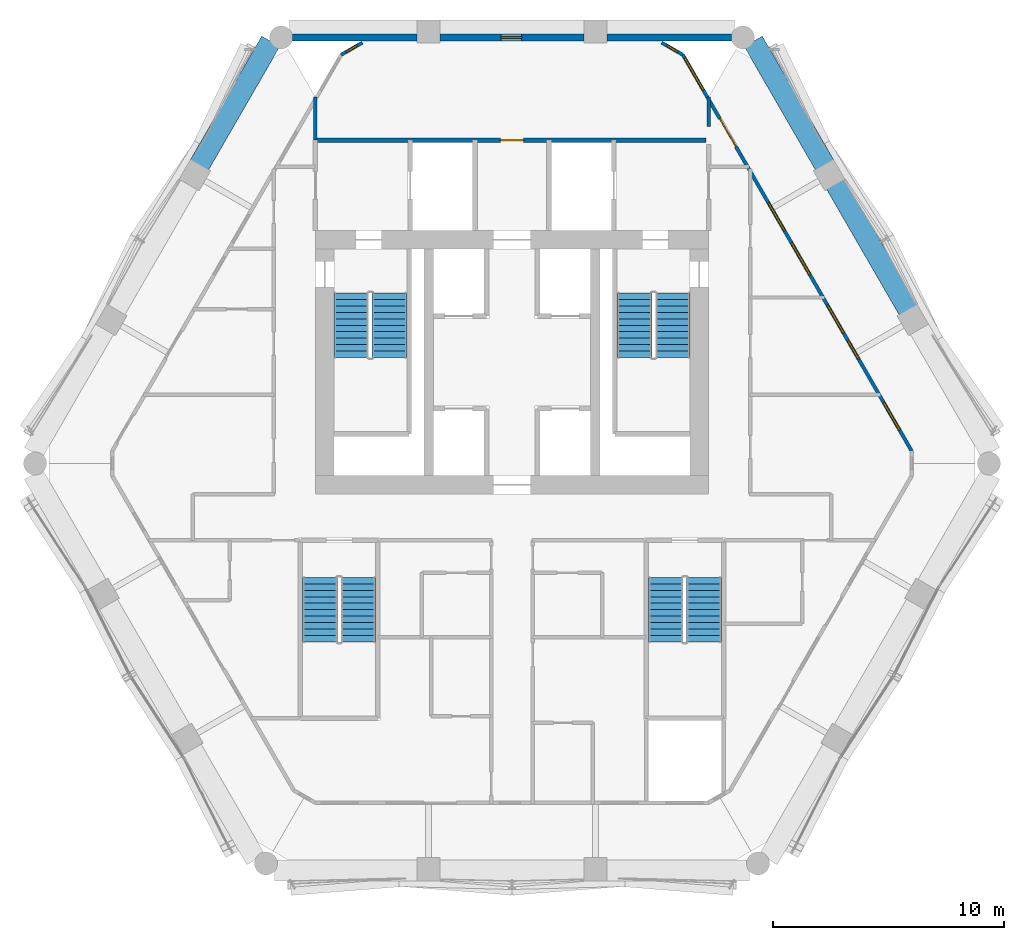
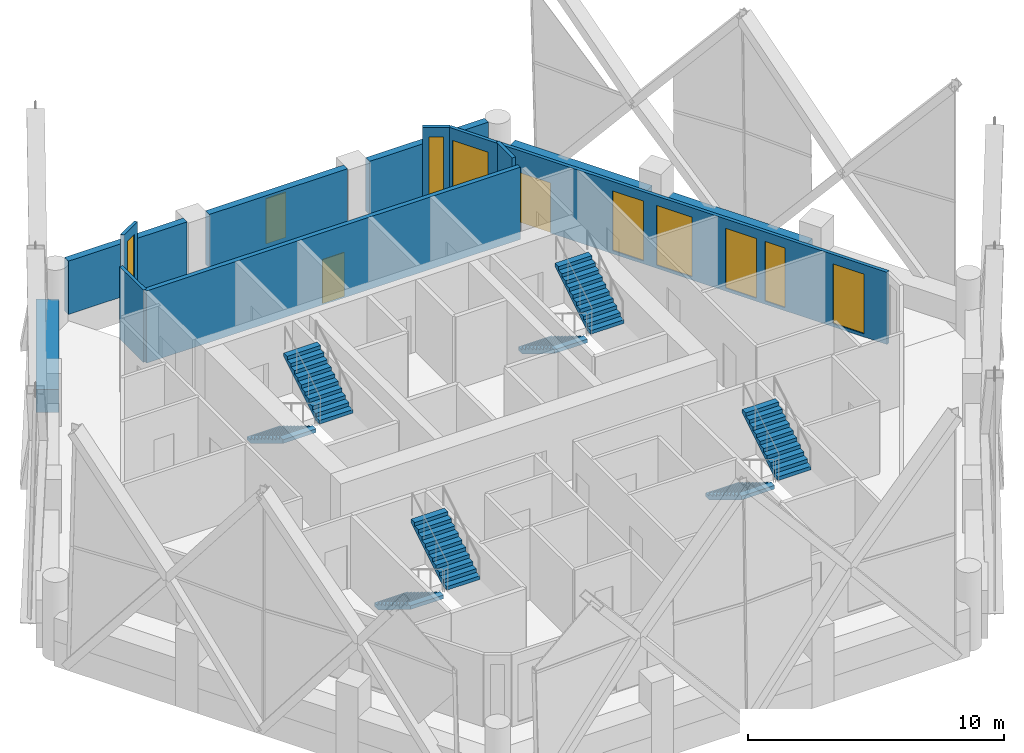
# One storey, part 13 of 18: 12 walls, 9 windows, 8 stair flights, 2 doors, 11 openings, 4 elements without a shape of their own.
"""IFC4 building model written with IfcOpenShell, lengths in metres."""

from ifc_helpers import new_model, si_unit, direction, frame, frame_2d, origin, place, context, subcontext, project, spatial, polyline, rectangle, outline, extrude, material, layer, layer_set, type_object, element, fill, aggregate, save


model = new_model("IFC4")

# Units and contexts
model_context = context("Model", 3, precision=1e-05, world=origin(), true_north=direction((0.0, 1.0)))
body_context = subcontext(model_context, "Body", "Model", "MODEL_VIEW")
ifc_project = project(units=[si_unit("LENGTHUNIT", "METRE"), si_unit("AREAUNIT", "SQUARE_METRE"), si_unit("VOLUMEUNIT", "CUBIC_METRE"), si_unit("PLANEANGLEUNIT", "RADIAN"), si_unit("MASSUNIT", "GRAM", prefix="KILO")], contexts=[model_context])

# Site, building, storey
site_placement = place(None, origin())
site = spatial("IfcSite", under=ifc_project, at=site_placement, CompositionType="ELEMENT")
building_placement = place(site_placement, origin())
building = spatial("IfcBuilding", under=site, at=building_placement, Name="Ostrander Bayou Hotel Tower", CompositionType="ELEMENT")
storey_placement = place(building_placement, frame((0.0, 0.0, 175.75)))
storey = spatial("IfcBuildingStorey", under=building, at=storey_placement, Name="L43", CompositionType="ELEMENT", Elevation=175.75)

# Wall, openings, door, windows
ifc_material_1 = material(Name="Aluminium framed insulated wall", Category="aluminium")
ifc_layer_1 = layer(ifc_material_1, 0.14990234375)
ifc_layer_set_1 = layer_set([ifc_layer_1], Name="GW1 glass-line wall 150 mm")
wall_type_1 = type_object("IfcWallType", Name="GW1 glass-line wall 150 mm", PredefinedType="SOLIDWALL", material=ifc_layer_set_1)
wall_1_placement = place(storey_placement, frame((17.28662109375, 0.156005859375, 0.0), z_axis=(0.0, 0.0, 1.0), x_axis=(-0.500001917853, 0.866024296509, 0.0)))
wall_1 = element("IfcWall", 1, at=wall_1_placement, inside=storey, type_object=wall_type_1, Name="GW1 L43 NE 1", PredefinedType="SOLIDWALL", context=body_context, shape_type="SweptSolid", body=[
    extrude(rectangle(XDim=19.78759765625, YDim=0.14990234375, at=frame_2d((9.893798828125, 0.0))), origin(), (0.0, 0.0, 1.0), 3.449951171875),
])
opening_1_placement = place(wall_1_placement, frame((1.046142578125, 0.0, 0.14990234375)))
opening_1 = element("IfcOpeningElement", 2, at=opening_1_placement, cuts=wall_1, Name="Opening W13", PredefinedType="OPENING", context=body_context, shape_type="SweptSolid", body=[
    extrude(rectangle(XDim=1.39990234375, YDim=2.85009765625, at=frame_2d((0.699951171875, 1.425048828125))), frame((0.0, 0.074951171875, 0.0), z_axis=(0.0, -1.0, 0.0), x_axis=(1.0, 0.0, 0.0)), (0.0, 0.0, 1.0), 0.14990234375),
])
opening_2_placement = place(wall_1_placement, frame((4.608154296875, 0.0, 0.14990234375)))
opening_2 = element("IfcOpeningElement", 3, at=opening_2_placement, cuts=wall_1, Name="Opening W17", PredefinedType="OPENING", context=body_context, shape_type="SweptSolid", body=[
    extrude(rectangle(XDim=0.89990234375, YDim=2.85009765625, at=frame_2d((0.449951171875, 1.425048828125))), frame((0.0, 0.074951171875, 0.0), z_axis=(0.0, -1.0, 0.0), x_axis=(1.0, 0.0, 0.0)), (0.0, 0.0, 1.0), 0.14990234375),
])
opening_3_placement = place(wall_1_placement, frame((5.8955078125, 0.0, 0.14990234375)))
opening_3 = element("IfcOpeningElement", 4, at=opening_3_placement, cuts=wall_1, Name="Opening W13", PredefinedType="OPENING", context=body_context, shape_type="SweptSolid", body=[
    extrude(rectangle(XDim=1.39990234375, YDim=2.85009765625, at=frame_2d((0.699951171875, 1.425048828125))), frame((0.0, 0.074951171875, 0.0), z_axis=(0.0, -1.0, 0.0), x_axis=(1.0, 0.0, 0.0)), (0.0, 0.0, 1.0), 0.14990234375),
])
opening_4_placement = place(wall_1_placement, frame((8.80810546875, 0.0, 0.14990234375)))
opening_4 = element("IfcOpeningElement", 5, at=opening_4_placement, cuts=wall_1, Name="Opening W3", PredefinedType="OPENING", context=body_context, shape_type="SweptSolid", body=[
    extrude(rectangle(XDim=1.60009765625, YDim=2.85009765625, at=frame_2d((0.800048828125, 1.425048828125))), frame((0.0, 0.074951171875, 0.0), z_axis=(0.0, -1.0, 0.0), x_axis=(1.0, 0.0, 0.0)), (0.0, 0.0, 1.0), 0.14990234375),
])
opening_5_placement = place(wall_1_placement, frame((11.008056640625, 0.0, 0.14990234375)))
opening_5 = element("IfcOpeningElement", 6, at=opening_5_placement, cuts=wall_1, Name="Opening W13", PredefinedType="OPENING", context=body_context, shape_type="SweptSolid", body=[
    extrude(rectangle(XDim=1.39990234375, YDim=2.85009765625, at=frame_2d((0.699951171875, 1.425048828125))), frame((0.0, 0.074951171875, 0.0), z_axis=(0.0, -1.0, 0.0), x_axis=(1.0, 0.0, 0.0)), (0.0, 0.0, 1.0), 0.14990234375),
])
opening_6_placement = place(wall_1_placement, frame((15.2080078125, 0.0, 0.0)))
opening_6 = element("IfcOpeningElement", 7, at=opening_6_placement, cuts=wall_1, Name="Opening T41-806", PredefinedType="OPENING", context=body_context, shape_type="SweptSolid", body=[
    extrude(rectangle(XDim=1.39990234375, YDim=2.39990234375, at=frame_2d((0.699951171875, 1.199951171875))), frame((0.0, 0.074951171875, 0.0), z_axis=(0.0, -1.0, 0.0), x_axis=(1.0, 0.0, 0.0)), (0.0, 0.0, 1.0), 0.14990234375),
])
opening_7_placement = place(wall_1_placement, frame((18.019287109375, 0.0, 0.14990234375)))
opening_7 = element("IfcOpeningElement", 8, at=opening_7_placement, cuts=wall_1, Name="Opening W3", PredefinedType="OPENING", context=body_context, shape_type="SweptSolid", body=[
    extrude(rectangle(XDim=1.60009765625, YDim=2.72998046875, at=frame_2d((0.800048828125, 1.364990234375))), frame((0.0, 0.074951171875, 0.0), z_axis=(0.0, -1.0, 0.0), x_axis=(1.0, 0.0, 0.0)), (0.0, 0.0, 1.0), 0.14990234375),
])
ifc_material_2 = material(Name="Aluminium and clear glass", Category="aluminium")
door_type_1 = type_object("IfcDoorType", Name="SD3 sliding glass door 1400 mm, zone 3", OperationType="SLIDING_TO_LEFT", PredefinedType="DOOR", material=ifc_material_2)
door_1_placement = place(opening_6_placement, origin())
door_1 = element("IfcDoor", 9, at=door_1_placement, inside=storey, type_object=door_type_1, Name="SD3 L43 NE 4", OperationType="SLIDING_TO_RIGHT", OverallHeight=2.39990234375, OverallWidth=1.39990234375, PredefinedType="DOOR", context=body_context, shape_type="SweptSolid", body=[
    extrude(rectangle(XDim=1.39990234375, YDim=2.39990234375, at=frame_2d((0.699951171875, 1.199951171875))), frame((0.0, 0.02490234375, 0.0), z_axis=(0.0, -1.0, 0.0), x_axis=(1.0, 0.0, 0.0)), (0.0, 0.0, 1.0), 0.050048828125),
])
fill(opening_6, door_1)
ifc_material_3 = material(Name="Aluminium and clear glass", Category="aluminium")
window_type_1 = type_object("IfcWindowType", Name="W13 fixed window 1400 mm, bath bay, zone 3", PartitioningType="SINGLE_PANEL", PredefinedType="WINDOW", material=ifc_material_3)
window_1_placement = place(opening_1_placement, origin())
window_1 = element("IfcWindow", 10, at=window_1_placement, inside=storey, type_object=window_type_1, Name="W13 L43 NE 1", OverallHeight=2.85009765625, OverallWidth=1.39990234375, PartitioningType="SINGLE_PANEL", PredefinedType="WINDOW", context=body_context, shape_type="SweptSolid", body=[
    extrude(rectangle(XDim=1.39990234375, YDim=2.85009765625, at=frame_2d((0.699951171875, 1.425048828125))), frame((0.0, 0.030029296875, 0.0), z_axis=(0.0, -1.0, 0.0), x_axis=(1.0, 0.0, 0.0)), (0.0, 0.0, 1.0), 0.06005859375),
])
fill(opening_1, window_1)
window_2_placement = place(opening_3_placement, origin())
window_2 = element("IfcWindow", 11, at=window_2_placement, inside=storey, type_object=window_type_1, Name="W13 L43 NE 2", OverallHeight=2.85009765625, OverallWidth=1.39990234375, PartitioningType="SINGLE_PANEL", PredefinedType="WINDOW", context=body_context, shape_type="SweptSolid", body=[
    extrude(rectangle(XDim=1.39990234375, YDim=2.85009765625, at=frame_2d((0.699951171875, 1.425048828125))), frame((0.0, 0.030029296875, 0.0), z_axis=(0.0, -1.0, 0.0), x_axis=(1.0, 0.0, 0.0)), (0.0, 0.0, 1.0), 0.06005859375),
])
fill(opening_3, window_2)
window_3_placement = place(opening_5_placement, origin())
window_3 = element("IfcWindow", 12, at=window_3_placement, inside=storey, type_object=window_type_1, Name="W13 L43 NE 3", OverallHeight=2.85009765625, OverallWidth=1.39990234375, PartitioningType="SINGLE_PANEL", PredefinedType="WINDOW", context=body_context, shape_type="SweptSolid", body=[
    extrude(rectangle(XDim=1.39990234375, YDim=2.85009765625, at=frame_2d((0.699951171875, 1.425048828125))), frame((0.0, 0.030029296875, 0.0), z_axis=(0.0, -1.0, 0.0), x_axis=(1.0, 0.0, 0.0)), (0.0, 0.0, 1.0), 0.06005859375),
])
fill(opening_5, window_3)
ifc_material_4 = material(Name="Aluminium and clear glass", Category="aluminium")
window_type_2 = type_object("IfcWindowType", Name="W17 window 900 mm, zone 3", PartitioningType="SINGLE_PANEL", PredefinedType="WINDOW", material=ifc_material_4)
window_4_placement = place(opening_2_placement, origin())
window_4 = element("IfcWindow", 13, at=window_4_placement, inside=storey, type_object=window_type_2, Name="W17 L43 NE 2", OverallHeight=2.85009765625, OverallWidth=0.89990234375, PartitioningType="SINGLE_PANEL", PredefinedType="WINDOW", context=body_context, shape_type="SweptSolid", body=[
    extrude(rectangle(XDim=0.89990234375, YDim=2.85009765625, at=frame_2d((0.449951171875, 1.425048828125))), frame((0.0, 0.030029296875, 0.0), z_axis=(0.0, -1.0, 0.0), x_axis=(1.0, 0.0, 0.0)), (0.0, 0.0, 1.0), 0.06005859375),
])
fill(opening_2, window_4)
ifc_material_5 = material(Name="Aluminium and clear glass", Category="aluminium")
window_type_3 = type_object("IfcWindowType", Name="W3 fixed window 1600 mm, zone 3", PartitioningType="SINGLE_PANEL", PredefinedType="WINDOW", material=ifc_material_5)
window_5_placement = place(opening_4_placement, origin())
window_5 = element("IfcWindow", 14, at=window_5_placement, inside=storey, type_object=window_type_3, Name="W3 L43 NE 3", OverallHeight=2.85009765625, OverallWidth=1.60009765625, PartitioningType="SINGLE_PANEL", PredefinedType="WINDOW", context=body_context, shape_type="SweptSolid", body=[
    extrude(rectangle(XDim=1.60009765625, YDim=2.85009765625, at=frame_2d((0.800048828125, 1.425048828125))), frame((0.0, 0.030029296875, 0.0), z_axis=(0.0, -1.0, 0.0), x_axis=(1.0, 0.0, 0.0)), (0.0, 0.0, 1.0), 0.06005859375),
])
fill(opening_4, window_5)
window_6_placement = place(opening_7_placement, origin())
window_6 = element("IfcWindow", 15, at=window_6_placement, inside=storey, type_object=window_type_3, Name="W3 L43 NE E22", OverallHeight=2.72998046875, OverallWidth=1.60009765625, PartitioningType="SINGLE_PANEL", PredefinedType="WINDOW", context=body_context, shape_type="SweptSolid", body=[
    extrude(rectangle(XDim=1.60009765625, YDim=2.72998046875, at=frame_2d((0.800048828125, 1.364990234375))), frame((0.0, 0.030029296875, 0.0), z_axis=(0.0, -1.0, 0.0), x_axis=(1.0, 0.0, 0.0)), (0.0, 0.0, 1.0), 0.06005859375),
])
fill(opening_7, window_6)

# Wall, opening, window
wall_2_placement = place(storey_placement, frame((-6.470458984375, 17.824951171875, 0.0), z_axis=(0.0, 0.0, 1.0), x_axis=(-0.866048165231, -0.499960573946, 0.0)))
wall_2 = element("IfcWall", 16, at=wall_2_placement, inside=storey, type_object=wall_type_1, Name="GW1 L43 corner 1", PredefinedType="SOLIDWALL", context=body_context, shape_type="SweptSolid", body=[
    extrude(rectangle(XDim=1.06494140625, YDim=0.14990234375, at=frame_2d((0.532470703125, 0.0))), origin(), (0.0, 0.0, 1.0), 3.449951171875),
])
opening_8_placement = place(wall_2_placement, frame((0.257568359375, 0.0, 0.14990234375)))
opening_8 = element("IfcOpeningElement", 17, at=opening_8_placement, cuts=wall_2, Name="Opening W19", PredefinedType="OPENING", context=body_context, shape_type="SweptSolid", body=[
    extrude(rectangle(XDim=0.550048828125, YDim=2.85009765625, at=frame_2d((0.27490234375, 1.425048828125))), frame((0.0, 0.074951171875, 0.0), z_axis=(0.0, -1.0, 0.0), x_axis=(1.0, 0.0, 0.0)), (0.0, 0.0, 1.0), 0.14990234375),
])
ifc_material_6 = material(Name="Aluminium and clear glass", Category="aluminium")
window_type_4 = type_object("IfcWindowType", Name="W19 corner window 550 mm", PartitioningType="SINGLE_PANEL", PredefinedType="WINDOW", material=ifc_material_6)
window_7_placement = place(opening_8_placement, origin())
window_7 = element("IfcWindow", 18, at=window_7_placement, inside=storey, type_object=window_type_4, Name="W19 L43 corner 1", OverallHeight=2.85009765625, OverallWidth=0.550048828125, PartitioningType="SINGLE_PANEL", PredefinedType="WINDOW", context=body_context, shape_type="SweptSolid", body=[
    extrude(rectangle(XDim=0.550048828125, YDim=2.85009765625, at=frame_2d((0.27490234375, 1.425048828125))), frame((0.0, 0.030029296875, 0.0), z_axis=(0.0, -1.0, 0.0), x_axis=(1.0, 0.0, 0.0)), (0.0, 0.0, 1.0), 0.06005859375),
])
fill(opening_8, window_7)

wall_3_placement = place(storey_placement, frame((7.392822265625, 17.29248046875, 0.0), z_axis=(0.0, 0.0, 1.0), x_axis=(-0.866048165231, 0.499960573946, 0.0)))
wall_3 = element("IfcWall", 19, at=wall_3_placement, inside=storey, type_object=wall_type_1, Name="GW1 L43 corner 6", PredefinedType="SOLIDWALL", context=body_context, shape_type="SweptSolid", body=[
    extrude(rectangle(XDim=1.06494140625, YDim=0.14990234375, at=frame_2d((0.532470703125, 0.0))), origin(), (0.0, 0.0, 1.0), 3.449951171875),
])
opening_9_placement = place(wall_3_placement, frame((0.257568359375, 0.0, 0.14990234375)))
opening_9 = element("IfcOpeningElement", 20, at=opening_9_placement, cuts=wall_3, Name="Opening W19", PredefinedType="OPENING", context=body_context, shape_type="SweptSolid", body=[
    extrude(rectangle(XDim=0.550048828125, YDim=2.85009765625, at=frame_2d((0.27490234375, 1.425048828125))), frame((0.0, 0.074951171875, 0.0), z_axis=(0.0, -1.0, 0.0), x_axis=(1.0, 0.0, 0.0)), (0.0, 0.0, 1.0), 0.14990234375),
])
window_8_placement = place(opening_9_placement, origin())
window_8 = element("IfcWindow", 21, at=window_8_placement, inside=storey, type_object=window_type_4, Name="W19 L43 corner 6", OverallHeight=2.85009765625, OverallWidth=0.550048828125, PartitioningType="SINGLE_PANEL", PredefinedType="WINDOW", context=body_context, shape_type="SweptSolid", body=[
    extrude(rectangle(XDim=0.550048828125, YDim=2.85009765625, at=frame_2d((0.27490234375, 1.425048828125))), frame((0.0, 0.030029296875, 0.0), z_axis=(0.0, -1.0, 0.0), x_axis=(1.0, 0.0, 0.0)), (0.0, 0.0, 1.0), 0.06005859375),
])
fill(opening_9, window_8)

# Wall
ifc_material_7 = material(Name="Reconstituted stone on masonry backing", Category="masonry")
ifc_layer_2 = layer(ifc_material_7, 0.300048828125)
ifc_layer_set_2 = layer_set([ifc_layer_2], Name="NW1 north stone wall 300 mm")
wall_type_2 = type_object("IfcWallType", Name="NW1 north stone wall 300 mm", PredefinedType="SOLIDWALL", material=ifc_layer_set_2)
wall_4_placement = place(storey_placement, frame((9.484375, 18.050048828125, 0.0), z_axis=(0.0, 0.0, 1.0), x_axis=(-1.0, 0.0, 0.0)))
element("IfcWall", 22, at=wall_4_placement, inside=storey, type_object=wall_type_2, Name="NW1 L43 N-1", PredefinedType="SOLIDWALL", context=body_context, shape_type="SweptSolid", body=[
    extrude(rectangle(XDim=5.3662109375, YDim=0.300048828125, at=frame_2d((2.68310546875, 0.0))), origin(), (0.0, 0.0, 1.0), 2.550048828125),
])

# Wall, opening, window
wall_5_placement = place(storey_placement, frame((3.1181640625, 18.050048828125, 0.0), z_axis=(0.0, 0.0, 1.0), x_axis=(-1.0, 0.0, 0.0)))
wall_5 = element("IfcWall", 23, at=wall_5_placement, inside=storey, type_object=wall_type_2, Name="NW1 L43 N-2", PredefinedType="SOLIDWALL", context=body_context, shape_type="SweptSolid", body=[
    extrude(rectangle(XDim=6.236328125, YDim=0.300048828125, at=frame_2d((3.1181640625, 0.0))), origin(), (0.0, 0.0, 1.0), 2.550048828125),
])
opening_10_placement = place(wall_5_placement, frame((2.699951171875, 0.0, 0.14990234375)))
opening_10 = element("IfcOpeningElement", 24, at=opening_10_placement, cuts=wall_5, Name="Opening W17", PredefinedType="OPENING", context=body_context, shape_type="SweptSolid", body=[
    extrude(rectangle(XDim=0.89990234375, YDim=2.14990234375, at=frame_2d((0.449951171875, 1.074951171875))), frame((0.0, 0.14990234375, 0.0), z_axis=(0.0, -1.0, 0.0), x_axis=(1.0, 0.0, 0.0)), (0.0, 0.0, 1.0), 0.300048828125),
])
window_9_placement = place(opening_10_placement, origin())
window_9 = element("IfcWindow", 25, at=window_9_placement, inside=storey, type_object=window_type_2, Name="W17 L43 north N-2", OverallHeight=2.14990234375, OverallWidth=0.89990234375, PartitioningType="SINGLE_PANEL", PredefinedType="WINDOW", context=body_context, shape_type="SweptSolid", body=[
    extrude(rectangle(XDim=0.89990234375, YDim=2.14990234375, at=frame_2d((0.449951171875, 1.074951171875))), frame((0.0, 0.030029296875, 0.0), z_axis=(0.0, -1.0, 0.0), x_axis=(1.0, 0.0, 0.0)), (0.0, 0.0, 1.0), 0.06005859375),
])
fill(opening_10, window_9)

# Walls
wall_6_placement = place(storey_placement, frame((-4.1181640625, 18.050048828125, 0.0), z_axis=(0.0, 0.0, 1.0), x_axis=(-1.0, 0.0, 0.0)))
element("IfcWall", 26, at=wall_6_placement, inside=storey, type_object=wall_type_2, Name="NW1 L43 N-3", PredefinedType="SOLIDWALL", context=body_context, shape_type="SweptSolid", body=[
    extrude(rectangle(XDim=5.3662109375, YDim=0.300048828125, at=frame_2d((2.68310546875, 0.0))), origin(), (0.0, 0.0, 1.0), 2.550048828125),
])
ifc_material_8 = material(Name="Concrete f'c 40 MPa", Category="concrete")
ifc_layer_3 = layer(ifc_material_8, 0.89990234375)
ifc_layer_set_3 = layer_set([ifc_layer_3], Name="PA1 stone-faced parapet 900 mm")
wall_type_3 = type_object("IfcWallType", Name="PA1 stone-faced parapet 900 mm", PredefinedType="PARAPET", material=ifc_layer_set_3)
wall_7_placement = place(storey_placement, frame((-10.430908203125, 17.88037109375, 0.0), z_axis=(0.0, 0.0, 1.0), x_axis=(-0.49998343065, -0.866034969892, 0.0)))
element("IfcWall", 27, at=wall_7_placement, inside=storey, type_object=wall_type_3, Name="PA1 L43 NW-1", PredefinedType="PARAPET", context=body_context, shape_type="SweptSolid", body=[
    extrude(rectangle(XDim=6.181396484375, YDim=0.89990234375, at=frame_2d((3.0908203125, 0.0))), origin(), (0.0, 0.0, 1.0), 1.10009765625),
])
wall_8_placement = place(storey_placement, frame((17.1396484375, 6.260498046875, 0.0), z_axis=(0.0, 0.0, 1.0), x_axis=(-0.499984268907, 0.866034485945, 0.0)))
element("IfcWall", 28, at=wall_8_placement, inside=storey, type_object=wall_type_3, Name="PA1 L43 NE-2", PredefinedType="PARAPET", context=body_context, shape_type="SweptSolid", body=[
    extrude(rectangle(XDim=6.296142578125, YDim=0.89990234375, at=frame_2d((3.14794921875, 0.0))), origin(), (0.0, 0.0, 1.0), 1.10009765625),
])
wall_9_placement = place(storey_placement, frame((13.521484375, 12.527099609375, 0.0), z_axis=(0.0, 0.0, 1.0), x_axis=(-0.49998343065, 0.866034969892, 0.0)))
element("IfcWall", 29, at=wall_9_placement, inside=storey, type_object=wall_type_3, Name="PA1 L43 NE-3", PredefinedType="PARAPET", context=body_context, shape_type="SweptSolid", body=[
    extrude(rectangle(XDim=6.181396484375, YDim=0.89990234375, at=frame_2d((3.0908203125, 0.0))), origin(), (0.0, 0.0, 1.0), 1.10009765625),
])

# Wall, opening, door
ifc_material_9 = material(Name="Masonry block", Category="masonry")
ifc_layer_4 = layer(ifc_material_9, 0.199951171875)
ifc_layer_set_4 = layer_set([ifc_layer_4], Name="PT5 stair enclosure wall 200 mm masonry, 2 hour")
wall_type_4 = type_object("IfcWallType", Name="PT5 stair enclosure wall 200 mm masonry, 2 hour", PredefinedType="PARTITIONING", material=ifc_layer_set_4)
wall_10_placement = place(storey_placement, frame((-8.5, 13.60009765625, 0.0), z_axis=(0.0, 0.0, 1.0), x_axis=(1.0, 0.0, 0.0)))
wall_10 = element("IfcWall", 30, at=wall_10_placement, inside=storey, type_object=wall_type_4, Name="cs:L43:023", PredefinedType="PARTITIONING", context=body_context, shape_type="SweptSolid", body=[
    extrude(rectangle(XDim=16.898681640625, YDim=0.199951171875, at=frame_2d((8.44921875, 0.0))), origin(), (0.0, 0.0, 1.0), 3.449951171875),
])
opening_11_placement = place(wall_10_placement, frame((8.0, 0.0, 0.0)))
opening_11 = element("IfcOpeningElement", 31, at=opening_11_placement, cuts=wall_10, Name="Opening T41-017", PredefinedType="OPENING", context=body_context, shape_type="SweptSolid", body=[
    extrude(rectangle(XDim=1.0, YDim=2.10009765625, at=frame_2d((0.5, 1.050048828125))), frame((0.0, 0.10009765625, 0.0), z_axis=(0.0, -1.0, 0.0), x_axis=(1.0, 0.0, 0.0)), (0.0, 0.0, 1.0), 0.199951171875),
])
ifc_material_10 = material(Name="Timber door leaf", Category="wood")
door_type_2 = type_object("IfcDoorType", Name="D9 service door 1000 x 2100 mm, 30 minute", OperationType="SINGLE_SWING_LEFT", PredefinedType="DOOR", material=ifc_material_10)
door_2_placement = place(opening_11_placement, origin())
door_2 = element("IfcDoor", 32, at=door_2_placement, inside=storey, type_object=door_type_2, Name="dr:L43:017", OperationType="SINGLE_SWING_LEFT", OverallHeight=2.10009765625, OverallWidth=1.0, PredefinedType="DOOR", context=body_context, shape_type="SweptSolid", body=[
    extrude(rectangle(XDim=1.0, YDim=2.10009765625, at=frame_2d((0.5, 1.050048828125))), frame((0.0, 0.02490234375, 0.0), z_axis=(0.0, -1.0, 0.0), x_axis=(1.0, 0.0, 0.0)), (0.0, 0.0, 1.0), 0.050048828125),
])
fill(opening_11, door_2)

# Walls
ifc_material_11 = material(Name="Gypsum board partition", Category="finish")
ifc_layer_5 = layer(ifc_material_11, 0.14990234375)
ifc_layer_set_5 = layer_set([ifc_layer_5], Name="PT8 service band wall 150 mm, 1 hour")
wall_type_5 = type_object("IfcWallType", Name="PT8 service band wall 150 mm, 1 hour", PredefinedType="PARTITIONING", material=ifc_layer_set_5)
wall_11_placement = place(storey_placement, frame((8.5, 14.202880859375, 0.0), z_axis=(0.0, 0.0, 1.0), x_axis=(0.0, 1.0, 0.0)))
element("IfcWall", 33, at=wall_11_placement, inside=storey, type_object=wall_type_5, Name="gw:L43:027", PredefinedType="PARTITIONING", context=body_context, shape_type="SweptSolid", body=[
    extrude(rectangle(XDim=1.26220703125, YDim=0.14990234375, at=frame_2d((0.631103515625, 0.0))), origin(), (0.0, 0.0, 1.0), 3.449951171875),
])
wall_12_placement = place(storey_placement, frame((-8.5, 13.610107421875, 0.0), z_axis=(0.0, 0.0, 1.0), x_axis=(0.0, 1.0, 0.0)))
element("IfcWall", 34, at=wall_12_placement, inside=storey, type_object=wall_type_5, Name="gw:L43:035", PredefinedType="PARTITIONING", context=body_context, shape_type="SweptSolid", body=[
    extrude(rectangle(XDim=1.85498046875, YDim=0.14990234375, at=frame_2d((0.927490234375, 0.0))), origin(), (0.0, 0.0, 1.0), 3.449951171875),
])

# Stair, stair flights
ifc_material_12 = material(Name="Concrete f'c 45 MPa", Category="concrete")
stair_type = type_object("IfcStairType", Name="ST1 exit stair 1500 mm f'c 45 MPa", PredefinedType="HALF_TURN_STAIR", material=ifc_material_12)
stair_1_placement = place(storey_placement, origin())
stair_1 = element("IfcStair", 35, at=stair_1_placement, inside=storey, type_object=stair_type, Name="L43 exit stair A", PredefinedType="HALF_TURN_STAIR")
ifc_material_13 = material(Name="Concrete f'c 45 MPa", Category="concrete")
stair_flight_type = type_object("IfcStairFlightType", Name="SF1 stair flight 1500 mm f'c 45 MPa", PredefinedType="STRAIGHT", material=ifc_material_13)
stair_flight_1_placement = place(storey_placement, frame((-6.949951171875, 7.0, 0.0), z_axis=(0.0, 0.0, 1.0), x_axis=(0.0, -1.0, 0.0)))
stair_flight_1 = element("IfcStairFlight", 36, at=stair_flight_1_placement, type_object=stair_flight_type, Name="STA flight 1", NumberOfRisers=11, NumberOfTreads=10, PredefinedType="STRAIGHT", RiserHeight=0.170454545, TreadLength=0.28, context=body_context, shape_type="SweptSolid", body=[
    extrude(outline(polyline([(0.0, 0.0), (0.0, 0.17041015625), (0.280029296875, 0.17041015625), (0.280029296875, 0.3408203125), (0.56005859375, 0.3408203125), (0.56005859375, 0.511474609375), (0.840087890625, 0.511474609375), (0.840087890625, 0.681884765625), (1.1201171875, 0.681884765625), (1.1201171875, 0.852294921875), (1.39990234375, 0.852294921875), (1.39990234375, 1.022705078125), (1.679931640625, 1.022705078125), (1.679931640625, 1.193115234375), (1.9599609375, 1.193115234375), (1.9599609375, 1.363525390625), (2.239990234375, 1.363525390625), (2.239990234375, 1.5341796875), (2.52001953125, 1.5341796875), (2.52001953125, 1.70458984375), (2.800048828125, 1.70458984375), (2.800048828125, 1.875), (2.800048828125, 1.529052734375), (0.288330078125, 0.0), (0.0, 0.0)])), frame((0.0, 0.75, 0.0), z_axis=(0.0, -1.0, 0.0), x_axis=(1.0, 0.0, 0.0)), (0.0, 0.0, 1.0), 1.5),
])
stair_flight_2_placement = place(storey_placement, frame((-5.300048828125, 4.199951171875, 1.875), z_axis=(0.0, 0.0, 1.0), x_axis=(0.0, 1.0, 0.0)))
stair_flight_2 = element("IfcStairFlight", 37, at=stair_flight_2_placement, type_object=stair_flight_type, Name="STA flight 2", NumberOfRisers=11, NumberOfTreads=10, PredefinedType="STRAIGHT", RiserHeight=0.170454545, TreadLength=0.28, context=body_context, shape_type="SweptSolid", body=[
    extrude(outline(polyline([(0.0, 0.0), (0.0, 0.17041015625), (0.280029296875, 0.17041015625), (0.280029296875, 0.3408203125), (0.56005859375, 0.3408203125), (0.56005859375, 0.511474609375), (0.840087890625, 0.511474609375), (0.840087890625, 0.681884765625), (1.1201171875, 0.681884765625), (1.1201171875, 0.852294921875), (1.39990234375, 0.852294921875), (1.39990234375, 1.022705078125), (1.679931640625, 1.022705078125), (1.679931640625, 1.193115234375), (1.9599609375, 1.193115234375), (1.9599609375, 1.363525390625), (2.239990234375, 1.363525390625), (2.239990234375, 1.5341796875), (2.52001953125, 1.5341796875), (2.52001953125, 1.70458984375), (2.800048828125, 1.70458984375), (2.800048828125, 1.875), (2.800048828125, 1.529052734375), (0.288330078125, 0.0), (0.0, 0.0)])), frame((0.0, 0.75, 0.0), z_axis=(0.0, -1.0, 0.0), x_axis=(1.0, 0.0, 0.0)), (0.0, 0.0, 1.0), 1.5),
])
aggregate(stair_1, [stair_flight_1, stair_flight_2])

stair_2_placement = place(storey_placement, origin())
stair_2 = element("IfcStair", 38, at=stair_2_placement, inside=storey, type_object=stair_type, Name="L43 exit stair B", PredefinedType="HALF_TURN_STAIR")
stair_flight_3_placement = place(storey_placement, frame((5.300048828125, 7.0, 0.0), z_axis=(0.0, 0.0, 1.0), x_axis=(0.0, -1.0, 0.0)))
stair_flight_3 = element("IfcStairFlight", 39, at=stair_flight_3_placement, type_object=stair_flight_type, Name="STB flight 1", NumberOfRisers=11, NumberOfTreads=10, PredefinedType="STRAIGHT", RiserHeight=0.170454545, TreadLength=0.28, context=body_context, shape_type="SweptSolid", body=[
    extrude(outline(polyline([(0.0, 0.0), (0.0, 0.17041015625), (0.280029296875, 0.17041015625), (0.280029296875, 0.3408203125), (0.56005859375, 0.3408203125), (0.56005859375, 0.511474609375), (0.840087890625, 0.511474609375), (0.840087890625, 0.681884765625), (1.1201171875, 0.681884765625), (1.1201171875, 0.852294921875), (1.39990234375, 0.852294921875), (1.39990234375, 1.022705078125), (1.679931640625, 1.022705078125), (1.679931640625, 1.193115234375), (1.9599609375, 1.193115234375), (1.9599609375, 1.363525390625), (2.239990234375, 1.363525390625), (2.239990234375, 1.5341796875), (2.52001953125, 1.5341796875), (2.52001953125, 1.70458984375), (2.800048828125, 1.70458984375), (2.800048828125, 1.875), (2.800048828125, 1.529052734375), (0.288330078125, 0.0), (0.0, 0.0)])), frame((0.0, 0.75, 0.0), z_axis=(0.0, -1.0, 0.0), x_axis=(1.0, 0.0, 0.0)), (0.0, 0.0, 1.0), 1.5),
])
stair_flight_4_placement = place(storey_placement, frame((6.949951171875, 4.199951171875, 1.875), z_axis=(0.0, 0.0, 1.0), x_axis=(0.0, 1.0, 0.0)))
stair_flight_4 = element("IfcStairFlight", 40, at=stair_flight_4_placement, type_object=stair_flight_type, Name="STB flight 2", NumberOfRisers=11, NumberOfTreads=10, PredefinedType="STRAIGHT", RiserHeight=0.170454545, TreadLength=0.28, context=body_context, shape_type="SweptSolid", body=[
    extrude(outline(polyline([(0.0, 0.0), (0.0, 0.17041015625), (0.280029296875, 0.17041015625), (0.280029296875, 0.3408203125), (0.56005859375, 0.3408203125), (0.56005859375, 0.511474609375), (0.840087890625, 0.511474609375), (0.840087890625, 0.681884765625), (1.1201171875, 0.681884765625), (1.1201171875, 0.852294921875), (1.39990234375, 0.852294921875), (1.39990234375, 1.022705078125), (1.679931640625, 1.022705078125), (1.679931640625, 1.193115234375), (1.9599609375, 1.193115234375), (1.9599609375, 1.363525390625), (2.239990234375, 1.363525390625), (2.239990234375, 1.5341796875), (2.52001953125, 1.5341796875), (2.52001953125, 1.70458984375), (2.800048828125, 1.70458984375), (2.800048828125, 1.875), (2.800048828125, 1.529052734375), (0.288330078125, 0.0), (0.0, 0.0)])), frame((0.0, 0.75, 0.0), z_axis=(0.0, -1.0, 0.0), x_axis=(1.0, 0.0, 0.0)), (0.0, 0.0, 1.0), 1.5),
])
aggregate(stair_2, [stair_flight_3, stair_flight_4])

stair_3_placement = place(storey_placement, origin())
stair_3 = element("IfcStair", 41, at=stair_3_placement, inside=storey, type_object=stair_type, Name="L43 exit stair C", PredefinedType="HALF_TURN_STAIR")
stair_flight_5_placement = place(storey_placement, frame((6.64990234375, -5.300048828125, 0.0), z_axis=(0.0, 0.0, 1.0), x_axis=(0.0, -1.0, 0.0)))
stair_flight_5 = element("IfcStairFlight", 42, at=stair_flight_5_placement, type_object=stair_flight_type, Name="STC flight 1", NumberOfRisers=11, NumberOfTreads=10, PredefinedType="STRAIGHT", RiserHeight=0.170454545, TreadLength=0.28, context=body_context, shape_type="SweptSolid", body=[
    extrude(outline(polyline([(0.0, 0.0), (0.0, 0.17041015625), (0.280029296875, 0.17041015625), (0.280029296875, 0.3408203125), (0.56005859375, 0.3408203125), (0.56005859375, 0.511474609375), (0.840087890625, 0.511474609375), (0.840087890625, 0.681884765625), (1.1201171875, 0.681884765625), (1.1201171875, 0.852294921875), (1.39990234375, 0.852294921875), (1.39990234375, 1.022705078125), (1.679931640625, 1.022705078125), (1.679931640625, 1.193115234375), (1.9599609375, 1.193115234375), (1.9599609375, 1.363525390625), (2.239990234375, 1.363525390625), (2.239990234375, 1.5341796875), (2.52001953125, 1.5341796875), (2.52001953125, 1.70458984375), (2.800048828125, 1.70458984375), (2.800048828125, 1.875), (2.800048828125, 1.529052734375), (0.288330078125, 0.0), (0.0, 0.0)])), frame((0.0, 0.75, 0.0), z_axis=(0.0, -1.0, 0.0), x_axis=(1.0, 0.0, 0.0)), (0.0, 0.0, 1.0), 1.5),
])
stair_flight_6_placement = place(storey_placement, frame((8.300048828125, -8.10009765625, 1.875), z_axis=(0.0, 0.0, 1.0), x_axis=(0.0, 1.0, 0.0)))
stair_flight_6 = element("IfcStairFlight", 43, at=stair_flight_6_placement, type_object=stair_flight_type, Name="STC flight 2", NumberOfRisers=11, NumberOfTreads=10, PredefinedType="STRAIGHT", RiserHeight=0.170454545, TreadLength=0.28, context=body_context, shape_type="SweptSolid", body=[
    extrude(outline(polyline([(0.0, 0.0), (0.0, 0.17041015625), (0.280029296875, 0.17041015625), (0.280029296875, 0.3408203125), (0.56005859375, 0.3408203125), (0.56005859375, 0.511474609375), (0.840087890625, 0.511474609375), (0.840087890625, 0.681884765625), (1.1201171875, 0.681884765625), (1.1201171875, 0.852294921875), (1.39990234375, 0.852294921875), (1.39990234375, 1.022705078125), (1.679931640625, 1.022705078125), (1.679931640625, 1.193115234375), (1.9599609375, 1.193115234375), (1.9599609375, 1.363525390625), (2.239990234375, 1.363525390625), (2.239990234375, 1.5341796875), (2.52001953125, 1.5341796875), (2.52001953125, 1.70458984375), (2.800048828125, 1.70458984375), (2.800048828125, 1.875), (2.800048828125, 1.529052734375), (0.288330078125, 0.0), (0.0, 0.0)])), frame((0.0, 0.75, 0.0), z_axis=(0.0, -1.0, 0.0), x_axis=(1.0, 0.0, 0.0)), (0.0, 0.0, 1.0), 1.5),
])
aggregate(stair_3, [stair_flight_5, stair_flight_6])

stair_4_placement = place(storey_placement, origin())
stair_4 = element("IfcStair", 44, at=stair_4_placement, inside=storey, type_object=stair_type, Name="L43 exit stair D", PredefinedType="HALF_TURN_STAIR")
stair_flight_7_placement = place(storey_placement, frame((-8.300048828125, -5.300048828125, 0.0), z_axis=(0.0, 0.0, 1.0), x_axis=(0.0, -1.0, 0.0)))
stair_flight_7 = element("IfcStairFlight", 45, at=stair_flight_7_placement, type_object=stair_flight_type, Name="STD flight 1", NumberOfRisers=11, NumberOfTreads=10, PredefinedType="STRAIGHT", RiserHeight=0.170454545, TreadLength=0.28, context=body_context, shape_type="SweptSolid", body=[
    extrude(outline(polyline([(0.0, 0.0), (0.0, 0.17041015625), (0.280029296875, 0.17041015625), (0.280029296875, 0.3408203125), (0.56005859375, 0.3408203125), (0.56005859375, 0.511474609375), (0.840087890625, 0.511474609375), (0.840087890625, 0.681884765625), (1.1201171875, 0.681884765625), (1.1201171875, 0.852294921875), (1.39990234375, 0.852294921875), (1.39990234375, 1.022705078125), (1.679931640625, 1.022705078125), (1.679931640625, 1.193115234375), (1.9599609375, 1.193115234375), (1.9599609375, 1.363525390625), (2.239990234375, 1.363525390625), (2.239990234375, 1.5341796875), (2.52001953125, 1.5341796875), (2.52001953125, 1.70458984375), (2.800048828125, 1.70458984375), (2.800048828125, 1.875), (2.800048828125, 1.529052734375), (0.288330078125, 0.0), (0.0, 0.0)])), frame((0.0, 0.75, 0.0), z_axis=(0.0, -1.0, 0.0), x_axis=(1.0, 0.0, 0.0)), (0.0, 0.0, 1.0), 1.5),
])
stair_flight_8_placement = place(storey_placement, frame((-6.64990234375, -8.10009765625, 1.875), z_axis=(0.0, 0.0, 1.0), x_axis=(0.0, 1.0, 0.0)))
stair_flight_8 = element("IfcStairFlight", 46, at=stair_flight_8_placement, type_object=stair_flight_type, Name="STD flight 2", NumberOfRisers=11, NumberOfTreads=10, PredefinedType="STRAIGHT", RiserHeight=0.170454545, TreadLength=0.28, context=body_context, shape_type="SweptSolid", body=[
    extrude(outline(polyline([(0.0, 0.0), (0.0, 0.17041015625), (0.280029296875, 0.17041015625), (0.280029296875, 0.3408203125), (0.56005859375, 0.3408203125), (0.56005859375, 0.511474609375), (0.840087890625, 0.511474609375), (0.840087890625, 0.681884765625), (1.1201171875, 0.681884765625), (1.1201171875, 0.852294921875), (1.39990234375, 0.852294921875), (1.39990234375, 1.022705078125), (1.679931640625, 1.022705078125), (1.679931640625, 1.193115234375), (1.9599609375, 1.193115234375), (1.9599609375, 1.363525390625), (2.239990234375, 1.363525390625), (2.239990234375, 1.5341796875), (2.52001953125, 1.5341796875), (2.52001953125, 1.70458984375), (2.800048828125, 1.70458984375), (2.800048828125, 1.875), (2.800048828125, 1.529052734375), (0.288330078125, 0.0), (0.0, 0.0)])), frame((0.0, 0.75, 0.0), z_axis=(0.0, -1.0, 0.0), x_axis=(1.0, 0.0, 0.0)), (0.0, 0.0, 1.0), 1.5),
])
aggregate(stair_4, [stair_flight_7, stair_flight_8])

save(model, "model.ifc")
